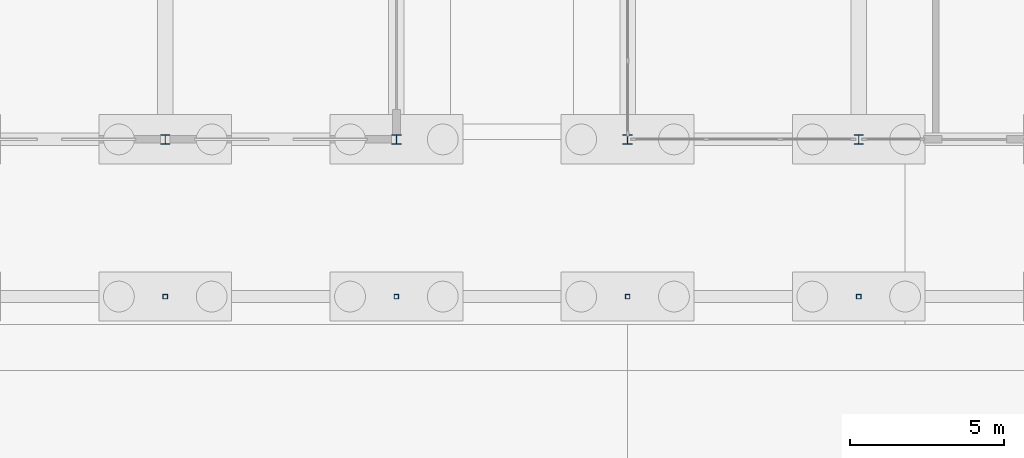
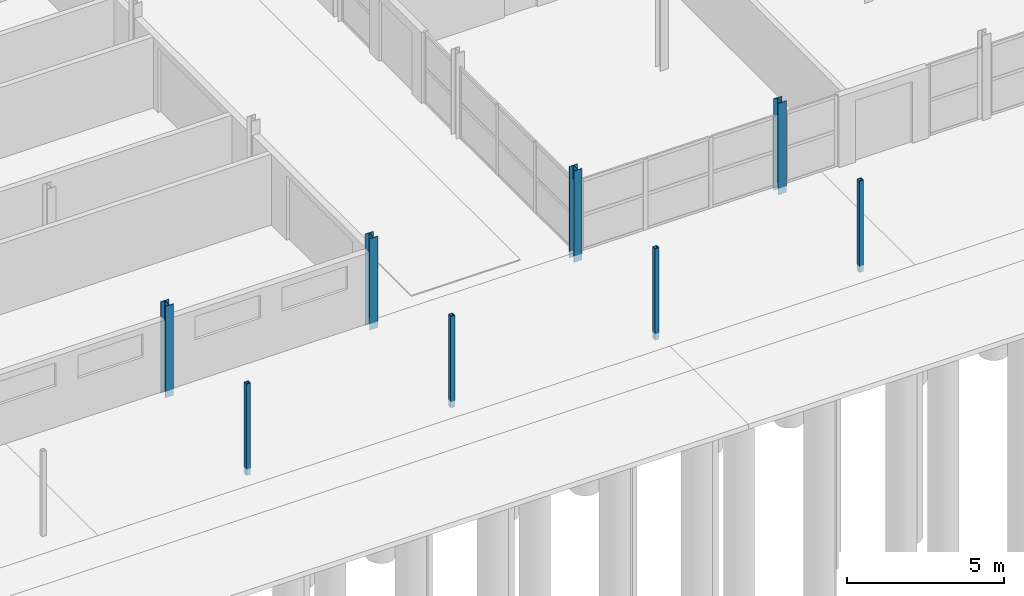
# One storey, part 24 of 130: 8 columns.
"""IFC4 building model written with IfcOpenShell, lengths in metres."""

from ifc_helpers import new_model, si_unit, direction, frame, origin, origin_2d, place, context, subcontext, project, spatial, hollow_rectangle, i_section, extrude, material, material_profile, profile_set, type_object, element, save


model = new_model("IFC4")

# Units and contexts
model_context = context("Model", 3, precision=1e-05, world=origin(), true_north=direction((0.0, 1.0)))
body_context = subcontext(model_context, "Body", "Model", "MODEL_VIEW")
ifc_project = project(units=[si_unit("LENGTHUNIT", "METRE"), si_unit("AREAUNIT", "SQUARE_METRE"), si_unit("VOLUMEUNIT", "CUBIC_METRE"), si_unit("PLANEANGLEUNIT", "RADIAN"), si_unit("MASSUNIT", "GRAM", prefix="KILO")], contexts=[model_context])

# Site, building, storey
site_placement = place(None, origin())
site = spatial("IfcSite", under=ifc_project, at=site_placement, CompositionType="ELEMENT")
building_placement = place(site_placement, origin())
building = spatial("IfcBuilding", under=site, at=building_placement, Name="Parallax Yard Mobility Hub", CompositionType="ELEMENT")
storey_placement = place(building_placement, origin())
storey = spatial("IfcBuildingStorey", under=building, at=storey_placement, Name="L00", CompositionType="ELEMENT", Elevation=0.0)

# Columns
ifc_material_1 = material(Name="Steel ASTM A500 Gr C", Category="steel")
ifc_material_profile_1 = material_profile(ifc_material_1, hollow_rectangle(XDim=0.15234375, YDim=0.15234375, WallThickness=0.009521484375, at=origin_2d()), Name="HSS152x152x9.5")
ifc_profile_set_1 = profile_set([ifc_material_profile_1], Name="Steel ASTM A500 Gr C")
column_type_1 = type_object("IfcColumnType", Name="Roof column HSS152x152x9.5", PredefinedType="COLUMN", material=ifc_profile_set_1)
for number, where, z_axis, x_axis, name in (
    (1, (135.0, 2.39990234375, -0.25), (0.0, 0.0, 1.0), (1.0, 0.0, 0.0), "Arcade column V6 6 level L00"),
    (2, (142.5, 2.39990234375, -0.25), (0.0, 0.0, 1.0), (1.0, 0.0, 0.0), "Arcade column V6 7 level L00"),
    (3, (150.0, 2.39990234375, -0.25), (0.0, 0.0, 1.0), (1.0, 0.0, 0.0), "Arcade column V6 8 level L00"),
    (4, (157.5, 2.39990234375, -0.25), (0.0, 0.0, 1.0), (1.0, 0.0, 0.0), "Arcade column V6 9 level L00"),
):
    element("IfcColumn", number, at=place(storey_placement, frame(where, z_axis=z_axis, x_axis=x_axis)), inside=storey, type_object=column_type_1, Name=name, PredefinedType="COLUMN", context=body_context, shape_type="SweptSolid", body=[
        extrude(hollow_rectangle(XDim=0.15234375, YDim=0.15234375, WallThickness=0.009521484375, at=origin_2d()), origin(), (0.0, 0.0, 1.0), 3.550048828125),
    ])
ifc_material_2 = material(Name="Steel ASTM A992", Category="steel")
ifc_material_profile_2 = material_profile(ifc_material_2, i_section(OverallWidth=0.304931640625, OverallDepth=0.306884765625, WebThickness=0.010009765625, FlangeThickness=0.015380859375, FilletRadius=0.01513671875, at=origin_2d()), Name="W310x97")
ifc_profile_set_2 = profile_set([ifc_material_profile_2], Name="Steel ASTM A992")
column_type_2 = type_object("IfcColumnType", Name="W310x97 column", PredefinedType="COLUMN", material=ifc_profile_set_2)
for number, where, z_axis, x_axis, name in (
    (5, (150.0, 7.5, -0.25), (0.0, 0.0, 1.0), (1.0, 0.0, 0.0), "Column C1 level L00 at B/21 of bicycle and shared-mobility hall"),
    (6, (157.5, 7.5, -0.25), (0.0, 0.0, 1.0), (1.0, 0.0, 0.0), "Column C1 level L00 at B/22 of bicycle and shared-mobility hall"),
    (7, (135.0, 7.5, -0.25), (0.0, 0.0, 1.0), (1.0, 0.0, 0.0), "Column C1 level L00 at B/19 of mobility service centre and workshops"),
    (8, (142.5, 7.5, -0.25), (0.0, 0.0, 1.0), (1.0, 0.0, 0.0), "Column C1 level L00 at B/20 of mobility service centre and workshops"),
):
    element("IfcColumn", number, at=place(storey_placement, frame(where, z_axis=z_axis, x_axis=x_axis)), inside=storey, type_object=column_type_2, Name=name, PredefinedType="COLUMN", context=body_context, shape_type="SweptSolid", body=[
        extrude(i_section(OverallWidth=0.304931640625, OverallDepth=0.306884765625, WebThickness=0.010009765625, FlangeThickness=0.015380859375, FilletRadius=0.01513671875, at=origin_2d()), origin(), (0.0, 0.0, 1.0), 3.550048828125),
    ])

save(model, "model.ifc")
